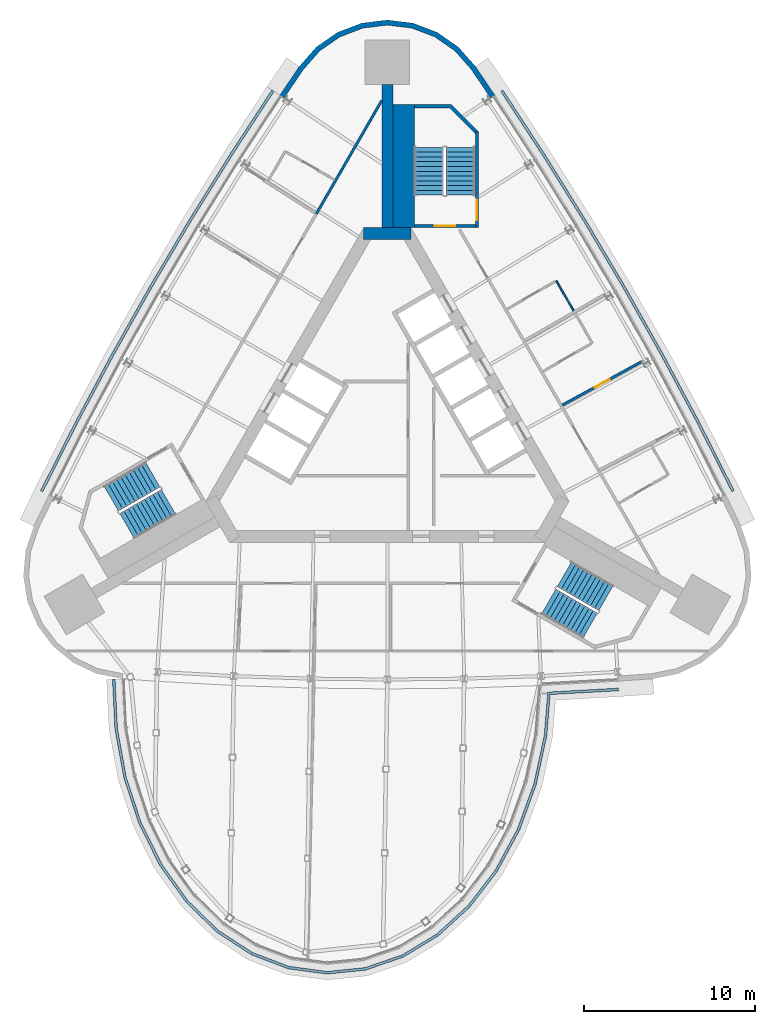
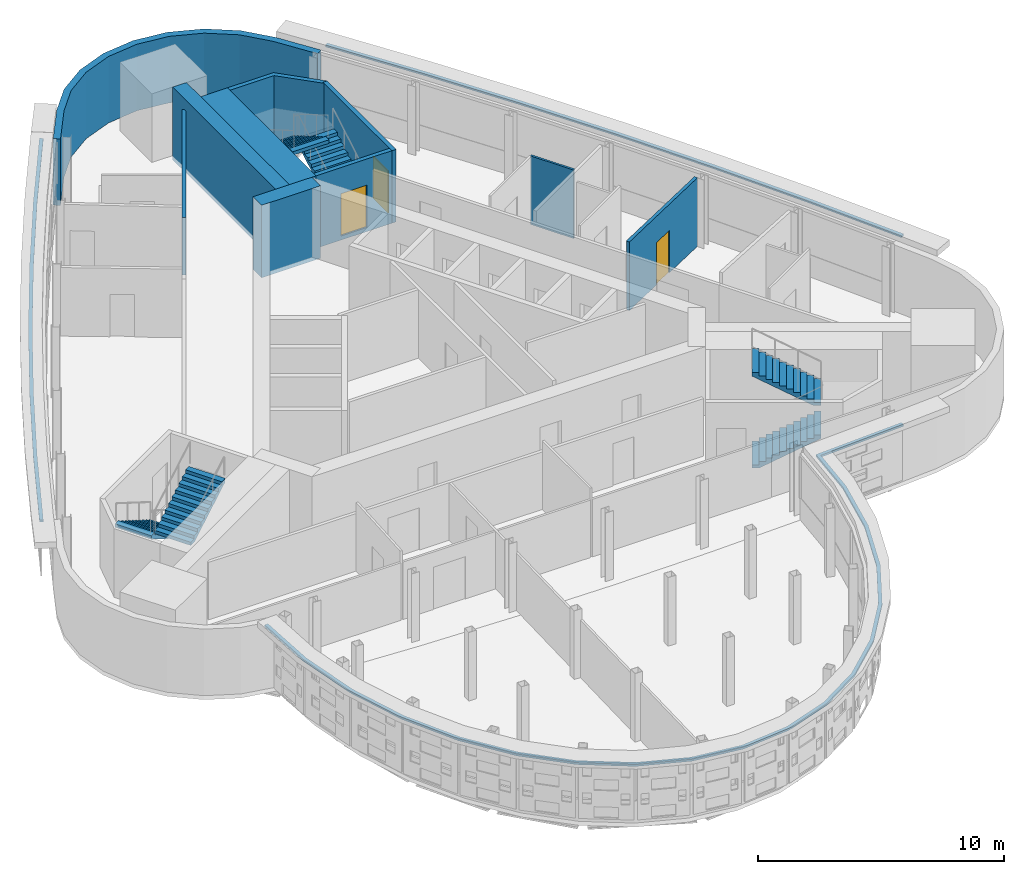
# One storey, part 11 of 14: 10 walls, 6 stair flights, 3 discrete accessories, 3 doors, 3 openings, 3 elements without a shape of their own.
"""IFC4 building model written with IfcOpenShell, lengths in metres."""

from ifc_helpers import new_model, si_unit, direction, frame, frame_2d, origin, place, context, subcontext, project, spatial, polyline, rectangle, outline, extrude, material, layer, layer_set, type_object, element, fill, aggregate, save


model = new_model("IFC4")

# Units and contexts
model_context = context("Model", 3, precision=1e-05, world=origin(), true_north=direction((0.0, 1.0)))
body_context = subcontext(model_context, "Body", "Model", "MODEL_VIEW")
ifc_project = project(units=[si_unit("LENGTHUNIT", "METRE"), si_unit("AREAUNIT", "SQUARE_METRE"), si_unit("VOLUMEUNIT", "CUBIC_METRE"), si_unit("PLANEANGLEUNIT", "RADIAN"), si_unit("MASSUNIT", "GRAM", prefix="KILO")], contexts=[model_context])

# Site, building, storey
site_placement = place(None, origin())
site = spatial("IfcSite", under=ifc_project, at=site_placement, CompositionType="ELEMENT")
building_placement = place(site_placement, origin())
building = spatial("IfcBuilding", under=site, at=building_placement, Name="Noor Cloister Tower", CompositionType="ELEMENT")
storey_placement = place(building_placement, frame((0.0, 0.0, 222.0)))
storey = spatial("IfcBuildingStorey", under=building, at=storey_placement, Name="L57", CompositionType="ELEMENT", Elevation=222.0)

# Walls
ifc_material_1 = material(Name="Concrete C60/75", Category="concrete")
ifc_layer_1 = layer(ifc_material_1, 0.64990234375)
ifc_layer_set_1 = layer_set([ifc_layer_1], Name="Buttress wall 650 C60/75")
wall_type_1 = type_object("IfcWallType", Name="Buttress wall 650 C60/75", PredefinedType="SHEAR", material=ifc_layer_set_1)
wall_1_placement = place(storey_placement, frame((0.0, 11.456298828125, -0.199951171875), z_axis=(0.0, 0.0, 1.0), x_axis=(0.0, 1.0, 0.0)))
element("IfcWall", 1, at=wall_1_placement, inside=storey, type_object=wall_type_1, Name="Buttress wall N L57", PredefinedType="SHEAR", context=body_context, shape_type="SweptSolid", body=[
    extrude(rectangle(XDim=8.358642578125, YDim=0.64990234375, at=frame_2d((4.17919921875, 0.0))), origin(), (0.0, 0.0, 1.0), 3.599853515625),
])
ifc_material_2 = material(Name="Concrete C60/75", Category="concrete")
ifc_layer_2 = layer(ifc_material_2, 0.699951171875)
ifc_layer_set_2 = layer_set([ifc_layer_2], Name="Core wall 700 C60/75")
wall_type_2 = type_object("IfcWallType", Name="Core wall 700 C60/75", PredefinedType="SHEAR", material=ifc_layer_set_2)
wall_2_placement = place(storey_placement, frame((1.3857421875, 11.1064453125, -0.199951171875), z_axis=(0.0, 0.0, 1.0), x_axis=(-1.0, 0.0, 0.0)))
element("IfcWall", 2, at=wall_2_placement, inside=storey, type_object=wall_type_2, Name="Core wall L57 4", PredefinedType="SHEAR", context=body_context, shape_type="SweptSolid", body=[
    extrude(rectangle(XDim=2.771484375, YDim=0.699951171875, at=frame_2d((1.3857421875, 0.0))), origin(), (0.0, 0.0, 1.0), 3.599853515625),
])
ifc_material_3 = material(Name="Fire-rated gypsum board partition on steel studs, 150 mm", Category="steel")
ifc_layer_3 = layer(ifc_material_3, 0.14990234375)
ifc_layer_set_3 = layer_set([ifc_layer_3], Name="Fire lobby wall 150")
wall_type_3 = type_object("IfcWallType", Name="Fire lobby wall 150", PredefinedType="PARTITIONING", material=ifc_layer_set_3)
wall_3_placement = place(storey_placement, frame((-0.324951171875, 18.8935546875, 0.0), z_axis=(0.0, 0.0, 1.0), x_axis=(-0.500004255962, -0.86602294659, 0.0)))
element("IfcWall", 3, at=wall_3_placement, inside=storey, type_object=wall_type_3, Name="Wall L57-W21", PredefinedType="PARTITIONING", context=body_context, shape_type="SweptSolid", body=[
    extrude(rectangle(XDim=7.6494140625, YDim=0.14990234375, at=frame_2d((3.82470703125, 0.0))), origin(), (0.0, 0.0, 1.0), 2.85205078125),
])

# Wall, opening, door
ifc_material_4 = material(Name="Gypsum board partition on steel studs, 150 mm", Category="steel")
ifc_layer_4 = layer(ifc_material_4, 0.14990234375)
ifc_layer_set_4 = layer_set([ifc_layer_4], Name="Flat wall 150")
wall_type_4 = type_object("IfcWallType", Name="Flat wall 150", PredefinedType="PARTITIONING", material=ifc_layer_set_4)
wall_4_placement = place(storey_placement, frame((14.909912109375, 3.661376953125, 0.0), z_axis=(0.0, 0.0, 1.0), x_axis=(-0.87687518663, -0.480718116023, 0.0)))
wall_4 = element("IfcWall", 4, at=wall_4_placement, inside=storey, type_object=wall_type_4, Name="Wall L57-W04", PredefinedType="PARTITIONING", context=body_context, shape_type="SweptSolid", body=[
    extrude(rectangle(XDim=5.34130859375, YDim=0.14990234375, at=frame_2d((2.670654296875, 0.0))), origin(), (0.0, 0.0, 1.0), 3.39990234375),
])
opening_1_placement = place(wall_4_placement, frame((2.2080078125, 0.0, 0.0)))
opening_1 = element("IfcOpeningElement", 5, at=opening_1_placement, cuts=wall_4, Name="Opening L57-005", PredefinedType="OPENING", context=body_context, shape_type="SweptSolid", body=[
    extrude(rectangle(XDim=1.0, YDim=2.10009765625, at=frame_2d((0.5, 1.050048828125))), frame((0.0, 0.0849609375, 0.0), z_axis=(0.0, -1.0, 0.0), x_axis=(1.0, 0.0, 0.0)), (0.0, 0.0, 1.0), 0.169921875),
])
ifc_material_5 = material(Name="Timber door leaf with steel frame", Category="steel")
door_type_1 = type_object("IfcDoorType", Name="Flat entrance door 1000", OperationType="NOTDEFINED", PredefinedType="DOOR", material=ifc_material_5)
door_1_placement = place(opening_1_placement, origin())
door_1 = element("IfcDoor", 6, at=door_1_placement, inside=storey, type_object=door_type_1, Name="Door L57-005", OperationType="SINGLE_SWING_LEFT", OverallHeight=2.10009765625, OverallWidth=1.0, PredefinedType="DOOR", context=body_context, shape_type="SweptSolid", body=[
    extrude(rectangle(XDim=1.0, YDim=2.10009765625, at=frame_2d((0.5, 1.050048828125))), frame((0.0, 0.02490234375, 0.0), z_axis=(0.0, -1.0, 0.0), x_axis=(1.0, 0.0, 0.0)), (0.0, 0.0, 1.0), 0.050048828125),
])
fill(opening_1, door_1)

# Walls
ifc_material_6 = material(Name="Limestone", Category="masonry")
ifc_layer_5 = layer(ifc_material_6, 0.300048828125)
ifc_layer_set_5 = layer_set([ifc_layer_5], Name="Limestone cladding 300")
wall_type_5 = type_object("IfcWallType", Name="Limestone cladding 300", PredefinedType="NOTDEFINED", material=ifc_layer_set_5)
wall_5_placement = place(storey_placement, origin())
element("IfcWall", 7, at=wall_5_placement, inside=storey, type_object=wall_type_5, Name="Limestone pier cladding L57 3.1", PredefinedType="NOTDEFINED", context=body_context, shape_type="SweptSolid", body=[
    extrude(outline(polyline([(6.2822265625, 19.2041015625), (5.148681640625, 20.87890625), (4.1513671875, 22.012939453125), (2.91064453125, 22.874267578125), (1.499267578125, 23.412109375), (0.0, 23.5947265625), (-1.499267578125, 23.412109375), (-2.91064453125, 22.874267578125), (-4.1513671875, 22.012939453125), (-5.148681640625, 20.87890625), (-6.2822265625, 19.2041015625), (-6.03369140625, 19.035888671875), (-4.910888671875, 20.69482421875), (-3.9501953125, 21.787353515625), (-2.76953125, 22.60693359375), (-1.426513671875, 23.11865234375), (0.0, 23.292724609375), (1.426513671875, 23.11865234375), (2.76953125, 22.60693359375), (3.9501953125, 21.787353515625), (4.910888671875, 20.69482421875), (6.03369140625, 19.035888671875), (6.2822265625, 19.2041015625)])), origin(), (0.0, 0.0, 1.0), 3.300048828125),
])
ifc_material_7 = material(Name="Gypsum board partition on steel studs, 100 mm", Category="steel")
ifc_layer_6 = layer(ifc_material_7, 0.10009765625)
ifc_layer_set_6 = layer_set([ifc_layer_6], Name="Partition 100")
wall_type_6 = type_object("IfcWallType", Name="Partition 100", PredefinedType="PARTITIONING", material=ifc_layer_set_6)
wall_6_placement = place(storey_placement, frame((10.885498046875, 6.602294921875, 0.0), z_axis=(0.0, 0.0, 1.0), x_axis=(-0.499990325971, 0.866030989016, 0.0)))
element("IfcWall", 8, at=wall_6_placement, inside=storey, type_object=wall_type_6, Name="Wall L57-W11", PredefinedType="PARTITIONING", context=body_context, shape_type="SweptSolid", body=[
    extrude(rectangle(XDim=2.02490234375, YDim=0.10009765625, at=frame_2d((1.012451171875, 0.0))), origin(), (0.0, 0.0, 1.0), 3.39990234375),
])
ifc_material_8 = material(Name="Concrete C60/75", Category="concrete")
ifc_layer_7 = layer(ifc_material_8, 1.260986328125)
ifc_layer_set_7 = layer_set([ifc_layer_7], Name="Stair enclosure wall 1261 C60/75")
wall_type_7 = type_object("IfcWallType", Name="Stair enclosure wall 1261 C60/75", PredefinedType="SHEAR", material=ifc_layer_set_7)
wall_7_placement = place(storey_placement, frame((0.955322265625, 11.456298828125, -0.199951171875), z_axis=(0.0, 0.0, 1.0), x_axis=(0.0, 1.0, 0.0)))
element("IfcWall", 9, at=wall_7_placement, inside=storey, type_object=wall_type_7, Name="Stair enclosure wall ST1 L57 riser side", PredefinedType="SHEAR", context=body_context, shape_type="SweptSolid", body=[
    extrude(rectangle(XDim=7.2001953125, YDim=1.2607421875, at=frame_2d((3.60009765625, 0.0))), origin(), (0.0, 0.0, 1.0), 3.599853515625),
])

# Wall, opening, door
ifc_material_9 = material(Name="Concrete C60/75", Category="concrete")
ifc_layer_8 = layer(ifc_material_9, 0.199951171875)
ifc_layer_set_8 = layer_set([ifc_layer_8], Name="Stair enclosure wall 200 C60/75")
wall_type_8 = type_object("IfcWallType", Name="Stair enclosure wall 200 C60/75", PredefinedType="SHEAR", material=ifc_layer_set_8)
wall_8_placement = place(storey_placement, frame((5.135498046875, 11.556396484375, -0.199951171875), z_axis=(0.0, 0.0, 1.0), x_axis=(-1.0, 0.0, 0.0)))
wall_8 = element("IfcWall", 10, at=wall_8_placement, inside=storey, type_object=wall_type_8, Name="Stair enclosure wall ST1 L57 near end", PredefinedType="SHEAR", context=body_context, shape_type="SweptSolid", body=[
    extrude(rectangle(XDim=3.5498046875, YDim=0.199951171875, at=frame_2d((1.77490234375, 0.0))), origin(), (0.0, 0.0, 1.0), 3.599853515625),
])
opening_2_placement = place(wall_8_placement, frame((1.175048828125, 0.0, 0.199951171875)))
opening_2 = element("IfcOpeningElement", 11, at=opening_2_placement, cuts=wall_8, Name="Opening L57-ST1L", PredefinedType="OPENING", context=body_context, shape_type="SweptSolid", body=[
    extrude(rectangle(XDim=1.199951171875, YDim=2.10009765625, at=frame_2d((0.60009765625, 1.050048828125))), frame((0.0, 0.10986328125, 0.0), z_axis=(0.0, -1.0, 0.0), x_axis=(1.0, 0.0, 0.0)), (0.0, 0.0, 1.0), 0.219970703125),
])
ifc_material_10 = material(Name="Steel", Category="steel")
door_type_2 = type_object("IfcDoorType", Name="Stair door 1200 x 2100 FD120", OperationType="SINGLE_SWING_LEFT", PredefinedType="DOOR", material=ifc_material_10)
door_2_placement = place(opening_2_placement, origin())
door_2 = element("IfcDoor", 12, at=door_2_placement, inside=storey, type_object=door_type_2, Name="Stair door ST1 L57", OperationType="SINGLE_SWING_RIGHT", OverallHeight=2.10009765625, OverallWidth=1.199951171875, PredefinedType="DOOR", context=body_context, shape_type="SweptSolid", body=[
    extrude(rectangle(XDim=1.199951171875, YDim=2.10009765625, at=frame_2d((0.60009765625, 1.050048828125))), frame((0.0, 0.02490234375, 0.0), z_axis=(0.0, -1.0, 0.0), x_axis=(1.0, 0.0, 0.0)), (0.0, 0.0, 1.0), 0.050048828125),
])
fill(opening_2, door_2)

wall_9_placement = place(storey_placement, frame((5.235595703125, 11.456298828125, -0.199951171875), z_axis=(0.0, 0.0, 1.0), x_axis=(0.0, 1.0, 0.0)))
wall_9 = element("IfcWall", 13, at=wall_9_placement, inside=storey, type_object=wall_type_8, Name="Stair enclosure wall ST1 L57 outer side", PredefinedType="SHEAR", context=body_context, shape_type="SweptSolid", body=[
    extrude(rectangle(XDim=5.60009765625, YDim=0.199951171875, at=frame_2d((2.800048828125, 0.0))), origin(), (0.0, 0.0, 1.0), 3.599853515625),
])
opening_3_placement = place(wall_9_placement, frame((0.449951171875, 0.0, 0.199951171875)))
opening_3 = element("IfcOpeningElement", 14, at=opening_3_placement, cuts=wall_9, Name="Opening L57-ST1C", PredefinedType="OPENING", context=body_context, shape_type="SweptSolid", body=[
    extrude(rectangle(XDim=1.199951171875, YDim=2.10009765625, at=frame_2d((0.60009765625, 1.050048828125))), frame((0.0, 0.10986328125, 0.0), z_axis=(0.0, -1.0, 0.0), x_axis=(1.0, 0.0, 0.0)), (0.0, 0.0, 1.0), 0.219970703125),
])
door_3_placement = place(opening_3_placement, origin())
door_3 = element("IfcDoor", 15, at=door_3_placement, inside=storey, type_object=door_type_2, Name="Stair door ST1 L57", OperationType="SINGLE_SWING_LEFT", OverallHeight=2.10009765625, OverallWidth=1.199951171875, PredefinedType="DOOR", context=body_context, shape_type="SweptSolid", body=[
    extrude(rectangle(XDim=1.199951171875, YDim=2.10009765625, at=frame_2d((0.60009765625, 1.050048828125))), frame((0.0, 0.02490234375, 0.0), z_axis=(0.0, -1.0, 0.0), x_axis=(1.0, 0.0, 0.0)), (0.0, 0.0, 1.0), 0.050048828125),
])
fill(opening_3, door_3)

# Wall
ifc_material_11 = material(Name="Concrete C60/75", Category="concrete")
wall_type_9 = type_object("IfcWallType", Name="Stair far end wall C60/75", PredefinedType="SHEAR", material=ifc_material_11)
wall_10_placement = place(storey_placement, frame((0.0, 0.0, -0.199951171875)))
element("IfcWall", 16, at=wall_10_placement, inside=storey, type_object=wall_type_9, Name="Stair enclosure wall ST1 L57 far end", PredefinedType="SHEAR", context=body_context, shape_type="SweptSolid", body=[
    extrude(outline(polyline([(5.335693359375, 17.056396484375), (3.735595703125, 18.656494140625), (1.585693359375, 18.656494140625), (1.585693359375, 18.456298828125), (3.65283203125, 18.456298828125), (5.135498046875, 16.9736328125), (5.135498046875, 17.056396484375), (5.135498046875, 17.056396484375), (5.135498046875, 17.056396484375), (5.135498046875, 17.056396484375), (5.135498046875, 17.056396484375), (5.135498046875, 17.056396484375), (5.135498046875, 17.056396484375), (5.135498046875, 17.056396484375), (5.135498046875, 17.056396484375), (5.135498046875, 17.056396484375), (5.135498046875, 17.056396484375), (5.135498046875, 17.056396484375), (5.135498046875, 17.056396484375), (5.135498046875, 17.056396484375), (5.135498046875, 17.056396484375), (5.135498046875, 17.056396484375), (5.135498046875, 17.056396484375), (5.335693359375, 17.056396484375)])), origin(), (0.0, 0.0, 1.0), 3.599853515625),
])

# Stair, stair flights
ifc_material_12 = material(Name="Concrete C40/50", Category="concrete")
stair_type = type_object("IfcStairType", Name="Exit stair 22 risers", PredefinedType="HALF_TURN_STAIR", material=ifc_material_12)
stair_1_placement = place(storey_placement, origin())
stair_1 = element("IfcStair", 17, at=stair_1_placement, inside=storey, type_object=stair_type, Name="Exit stair ST1 L57", PredefinedType="HALF_TURN_STAIR")
ifc_material_13 = material(Name="Concrete C40/50", Category="concrete")
stair_flight_type = type_object("IfcStairFlightType", Name="Exit stair flight", PredefinedType="STRAIGHT", material=ifc_material_13)
stair_flight_1_placement = place(storey_placement, frame((4.28564453125, 13.3564453125, 0.0), z_axis=(0.0, 0.0, 1.0), x_axis=(0.0, 1.0, 0.0)))
stair_flight_1 = element("IfcStairFlight", 18, at=stair_flight_1_placement, type_object=stair_flight_type, Name="ST1 flight 1", NumberOfRisers=11, NumberOfTreads=10, PredefinedType="STRAIGHT", RiserHeight=0.163636364, TreadLength=0.28, context=body_context, shape_type="SweptSolid", body=[
    extrude(outline(polyline([(0.0, 0.0), (0.0, 0.16357421875), (0.280029296875, 0.16357421875), (0.280029296875, 0.327392578125), (0.56005859375, 0.327392578125), (0.56005859375, 0.490966796875), (0.840087890625, 0.490966796875), (0.840087890625, 0.654541015625), (1.1201171875, 0.654541015625), (1.1201171875, 0.818115234375), (1.39990234375, 0.818115234375), (1.39990234375, 0.98193359375), (1.679931640625, 0.98193359375), (1.679931640625, 1.1455078125), (1.9599609375, 1.1455078125), (1.9599609375, 1.30908203125), (2.239990234375, 1.30908203125), (2.239990234375, 1.47265625), (2.52001953125, 1.47265625), (2.52001953125, 1.636474609375), (2.800048828125, 1.636474609375), (2.800048828125, 1.800048828125), (2.800048828125, 1.462646484375), (0.297119140625, 0.0), (0.0, 0.0)])), frame((0.0, 0.85009765625, 0.0), z_axis=(0.0, -1.0, 0.0), x_axis=(1.0, 0.0, 0.0)), (0.0, 0.0, 1.0), 1.699951171875),
])
stair_flight_2_placement = place(storey_placement, frame((2.435546875, 16.156494140625, 1.800048828125), z_axis=(0.0, 0.0, 1.0), x_axis=(0.0, -1.0, 0.0)))
stair_flight_2 = element("IfcStairFlight", 19, at=stair_flight_2_placement, type_object=stair_flight_type, Name="ST1 flight 2", NumberOfRisers=11, NumberOfTreads=10, PredefinedType="STRAIGHT", RiserHeight=0.163636364, TreadLength=0.28, context=body_context, shape_type="SweptSolid", body=[
    extrude(outline(polyline([(0.0, 0.0), (0.0, 0.16357421875), (0.280029296875, 0.16357421875), (0.280029296875, 0.327392578125), (0.56005859375, 0.327392578125), (0.56005859375, 0.490966796875), (0.840087890625, 0.490966796875), (0.840087890625, 0.654541015625), (1.1201171875, 0.654541015625), (1.1201171875, 0.818115234375), (1.39990234375, 0.818115234375), (1.39990234375, 0.98193359375), (1.679931640625, 0.98193359375), (1.679931640625, 1.1455078125), (1.9599609375, 1.1455078125), (1.9599609375, 1.30908203125), (2.239990234375, 1.30908203125), (2.239990234375, 1.47265625), (2.52001953125, 1.47265625), (2.52001953125, 1.636474609375), (2.800048828125, 1.636474609375), (2.800048828125, 1.800048828125), (2.800048828125, 1.462646484375), (0.297119140625, 0.0), (0.0, 0.0)])), frame((0.0, 0.85009765625, 0.0), z_axis=(0.0, -1.0, 0.0), x_axis=(1.0, 0.0, 0.0)), (0.0, 0.0, 1.0), 1.699951171875),
])
aggregate(stair_1, [stair_flight_1, stair_flight_2])

stair_2_placement = place(storey_placement, origin())
stair_2 = element("IfcStair", 20, at=stair_2_placement, inside=storey, type_object=stair_type, Name="Exit stair ST2 L57", PredefinedType="HALF_TURN_STAIR")
stair_flight_3_placement = place(storey_placement, frame((-13.709716796875, -2.966796875, 0.0), z_axis=(0.0, 0.0, 1.0), x_axis=(-0.866025403784, -0.5, 0.0)))
stair_flight_3 = element("IfcStairFlight", 21, at=stair_flight_3_placement, type_object=stair_flight_type, Name="ST2 flight 1", NumberOfRisers=11, NumberOfTreads=10, PredefinedType="STRAIGHT", RiserHeight=0.163636364, TreadLength=0.28, context=body_context, shape_type="SweptSolid", body=[
    extrude(outline(polyline([(0.0, 0.0), (0.0, 0.16357421875), (0.280029296875, 0.16357421875), (0.280029296875, 0.327392578125), (0.56005859375, 0.327392578125), (0.56005859375, 0.490966796875), (0.840087890625, 0.490966796875), (0.840087890625, 0.654541015625), (1.1201171875, 0.654541015625), (1.1201171875, 0.818115234375), (1.39990234375, 0.818115234375), (1.39990234375, 0.98193359375), (1.679931640625, 0.98193359375), (1.679931640625, 1.1455078125), (1.9599609375, 1.1455078125), (1.9599609375, 1.30908203125), (2.239990234375, 1.30908203125), (2.239990234375, 1.47265625), (2.52001953125, 1.47265625), (2.52001953125, 1.636474609375), (2.800048828125, 1.636474609375), (2.800048828125, 1.800048828125), (2.800048828125, 1.462646484375), (0.297119140625, 0.0), (0.0, 0.0)])), frame((0.0, 0.85009765625, 0.0), z_axis=(0.0, -1.0, 0.0), x_axis=(1.0, 0.0, 0.0)), (0.0, 0.0, 1.0), 1.699951171875),
])
stair_flight_4_placement = place(storey_placement, frame((-15.209716796875, -5.968994140625, 1.800048828125), z_axis=(0.0, 0.0, 1.0), x_axis=(0.866025403784, 0.5, 0.0)))
stair_flight_4 = element("IfcStairFlight", 22, at=stair_flight_4_placement, type_object=stair_flight_type, Name="ST2 flight 2", NumberOfRisers=11, NumberOfTreads=10, PredefinedType="STRAIGHT", RiserHeight=0.163636364, TreadLength=0.28, context=body_context, shape_type="SweptSolid", body=[
    extrude(outline(polyline([(0.0, 0.0), (0.0, 0.16357421875), (0.280029296875, 0.16357421875), (0.280029296875, 0.327392578125), (0.56005859375, 0.327392578125), (0.56005859375, 0.490966796875), (0.840087890625, 0.490966796875), (0.840087890625, 0.654541015625), (1.1201171875, 0.654541015625), (1.1201171875, 0.818115234375), (1.39990234375, 0.818115234375), (1.39990234375, 0.98193359375), (1.679931640625, 0.98193359375), (1.679931640625, 1.1455078125), (1.9599609375, 1.1455078125), (1.9599609375, 1.30908203125), (2.239990234375, 1.30908203125), (2.239990234375, 1.47265625), (2.52001953125, 1.47265625), (2.52001953125, 1.636474609375), (2.800048828125, 1.636474609375), (2.800048828125, 1.800048828125), (2.800048828125, 1.462646484375), (0.297119140625, 0.0), (0.0, 0.0)])), frame((0.0, 0.85009765625, 0.0), z_axis=(0.0, -1.0, 0.0), x_axis=(1.0, 0.0, 0.0)), (0.0, 0.0, 1.0), 1.699951171875),
])
aggregate(stair_2, [stair_flight_3, stair_flight_4])

stair_3_placement = place(storey_placement, origin())
stair_3 = element("IfcStair", 23, at=stair_3_placement, inside=storey, type_object=stair_type, Name="Exit stair ST3 L57", PredefinedType="HALF_TURN_STAIR")
stair_flight_5_placement = place(storey_placement, frame((9.424072265625, -10.3896484375, 0.0), z_axis=(0.0, 0.0, 1.0), x_axis=(0.866025403784, -0.5, 0.0)))
stair_flight_5 = element("IfcStairFlight", 24, at=stair_flight_5_placement, type_object=stair_flight_type, Name="ST3 flight 1", NumberOfRisers=11, NumberOfTreads=10, PredefinedType="STRAIGHT", RiserHeight=0.163636364, TreadLength=0.28, context=body_context, shape_type="SweptSolid", body=[
    extrude(outline(polyline([(0.0, 0.0), (0.0, 0.16357421875), (0.280029296875, 0.16357421875), (0.280029296875, 0.327392578125), (0.56005859375, 0.327392578125), (0.56005859375, 0.490966796875), (0.840087890625, 0.490966796875), (0.840087890625, 0.654541015625), (1.1201171875, 0.654541015625), (1.1201171875, 0.818115234375), (1.39990234375, 0.818115234375), (1.39990234375, 0.98193359375), (1.679931640625, 0.98193359375), (1.679931640625, 1.1455078125), (1.9599609375, 1.1455078125), (1.9599609375, 1.30908203125), (2.239990234375, 1.30908203125), (2.239990234375, 1.47265625), (2.52001953125, 1.47265625), (2.52001953125, 1.636474609375), (2.800048828125, 1.636474609375), (2.800048828125, 1.800048828125), (2.800048828125, 1.462646484375), (0.297119140625, 0.0), (0.0, 0.0)])), frame((0.0, 0.85009765625, 0.0), z_axis=(0.0, -1.0, 0.0), x_axis=(1.0, 0.0, 0.0)), (0.0, 0.0, 1.0), 1.699951171875),
])
stair_flight_6_placement = place(storey_placement, frame((12.77392578125, -10.1875, 1.800048828125), z_axis=(0.0, 0.0, 1.0), x_axis=(-0.866025403784, 0.5, 0.0)))
stair_flight_6 = element("IfcStairFlight", 25, at=stair_flight_6_placement, type_object=stair_flight_type, Name="ST3 flight 2", NumberOfRisers=11, NumberOfTreads=10, PredefinedType="STRAIGHT", RiserHeight=0.163636364, TreadLength=0.28, context=body_context, shape_type="SweptSolid", body=[
    extrude(outline(polyline([(0.0, 0.0), (0.0, 0.16357421875), (0.280029296875, 0.16357421875), (0.280029296875, 0.327392578125), (0.56005859375, 0.327392578125), (0.56005859375, 0.490966796875), (0.840087890625, 0.490966796875), (0.840087890625, 0.654541015625), (1.1201171875, 0.654541015625), (1.1201171875, 0.818115234375), (1.39990234375, 0.818115234375), (1.39990234375, 0.98193359375), (1.679931640625, 0.98193359375), (1.679931640625, 1.1455078125), (1.9599609375, 1.1455078125), (1.9599609375, 1.30908203125), (2.239990234375, 1.30908203125), (2.239990234375, 1.47265625), (2.52001953125, 1.47265625), (2.52001953125, 1.636474609375), (2.800048828125, 1.636474609375), (2.800048828125, 1.800048828125), (2.800048828125, 1.462646484375), (0.297119140625, 0.0), (0.0, 0.0)])), frame((0.0, 0.85009765625, 0.0), z_axis=(0.0, -1.0, 0.0), x_axis=(1.0, 0.0, 0.0)), (0.0, 0.0, 1.0), 1.699951171875),
])
aggregate(stair_3, [stair_flight_5, stair_flight_6])

# Discrete accessories
ifc_material_14 = material(Name="Stainless steel grade 316", Category="steel")
discrete_accessory_type = type_object("IfcDiscreteAccessoryType", Name="Stainless hanger rail", PredefinedType="BRACKET", material=ifc_material_14)
discrete_accessory_1_placement = place(storey_placement, frame((0.0, 0.0, 3.199951171875)))
element("IfcDiscreteAccessory", 26, at=discrete_accessory_1_placement, inside=storey, type_object=discrete_accessory_type, Name="Hanger rail L57", PredefinedType="BRACKET", context=body_context, shape_type="SweptSolid", body=[
    extrude(outline(polyline([(-6.7509765625, 19.510498046875), (-9.21630859375, 15.738525390625), (-11.600830078125, 11.90771484375), (-13.900146484375, 8.025146484375), (-16.113037109375, 4.0927734375), (-18.238037109375, 0.1123046875), (-20.27197265625, -3.90869140625), (-20.129150390625, -3.98095703125), (-18.09619140625, 0.03857421875), (-15.97265625, 4.015869140625), (-13.761474609375, 7.9453125), (-11.464111328125, 11.82470703125), (-9.081298828125, 15.652587890625), (-6.616943359375, 19.4228515625), (-6.7509765625, 19.510498046875)])), origin(), (0.0, 0.0, 1.0), 0.10009765625),
])
discrete_accessory_2_placement = place(storey_placement, frame((0.0, 0.0, 3.199951171875)))
element("IfcDiscreteAccessory", 27, at=discrete_accessory_2_placement, inside=storey, type_object=discrete_accessory_type, Name="Hanger rail L57", PredefinedType="BRACKET", context=body_context, shape_type="SweptSolid", body=[
    extrude(outline(polyline([(-16.066650390625, -14.925537109375), (-15.924560546875, -17.830322265625), (-15.40283203125, -20.69091796875), (-14.517333984375, -23.38720703125), (-13.291748046875, -25.839111328125), (-11.759521484375, -27.973388671875), (-9.961669921875, -29.7236328125), (-7.94921875, -31.03271484375), (-5.781494140625, -31.854248046875), (-3.52880859375, -32.156494140625), (-1.267578125, -31.9267578125), (0.92529296875, -31.175048828125), (2.978759765625, -29.93115234375), (4.831787109375, -28.239501953125), (6.431884765625, -26.155517578125), (7.7353515625, -23.744140625), (8.70703125, -21.07763671875), (9.320068359375, -18.235107421875), (9.515625, -15.823486328125), (13.52099609375, -15.6015625), (13.51220703125, -15.44189453125), (9.367431640625, -15.67138671875), (9.16162109375, -18.211669921875), (8.552978515625, -21.033203125), (7.589111328125, -23.678466796875), (6.297119140625, -26.068359375), (4.71337890625, -28.130859375), (2.882568359375, -29.802490234375), (0.857177734375, -31.029296875), (-1.302001953125, -31.76953125), (-3.526123046875, -31.995361328125), (-5.741943359375, -31.6982421875), (-7.876220703125, -30.88916015625), (-9.861328125, -29.59814453125), (-11.6376953125, -27.86865234375), (-13.154541015625, -25.75634765625), (-14.368896484375, -23.326171875), (-15.24755859375, -20.6513671875), (-15.765380859375, -17.81201171875), (-15.90673828125, -14.917724609375), (-16.066650390625, -14.925537109375)])), origin(), (0.0, 0.0, 1.0), 0.10009765625),
])
discrete_accessory_3_placement = place(storey_placement, frame((0.0, 0.0, 3.199951171875)))
element("IfcDiscreteAccessory", 28, at=discrete_accessory_3_placement, inside=storey, type_object=discrete_accessory_type, Name="Hanger rail L57", PredefinedType="BRACKET", context=body_context, shape_type="SweptSolid", body=[
    extrude(outline(polyline([(20.27197265625, -3.90869140625), (18.238037109375, 0.1123046875), (16.113037109375, 4.0927734375), (13.900146484375, 8.025146484375), (11.600830078125, 11.90771484375), (9.21630859375, 15.738525390625), (6.7509765625, 19.510498046875), (6.616943359375, 19.4228515625), (9.081298828125, 15.652587890625), (11.464111328125, 11.82470703125), (13.761474609375, 7.9453125), (15.97265625, 4.015869140625), (18.09619140625, 0.03857421875), (20.129150390625, -3.98095703125), (20.27197265625, -3.90869140625)])), origin(), (0.0, 0.0, 1.0), 0.10009765625),
])

save(model, "model.ifc")
